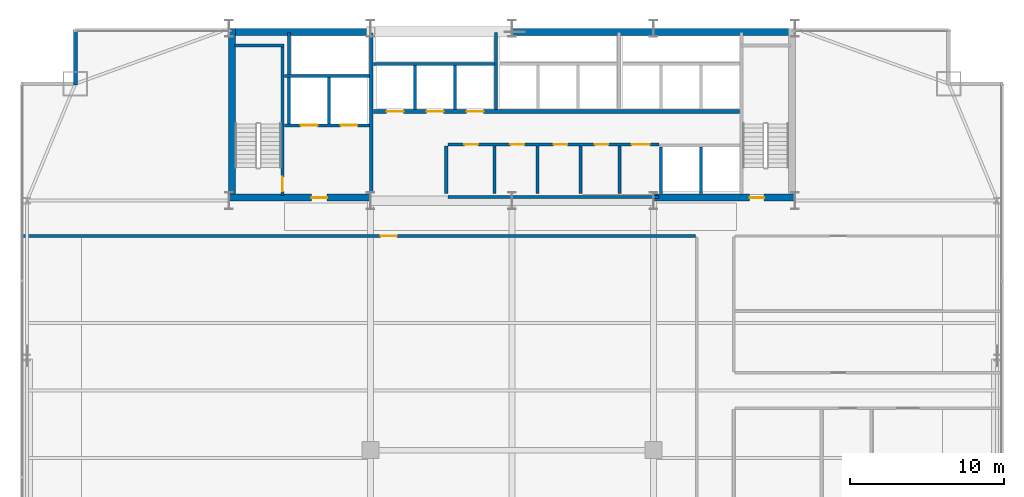
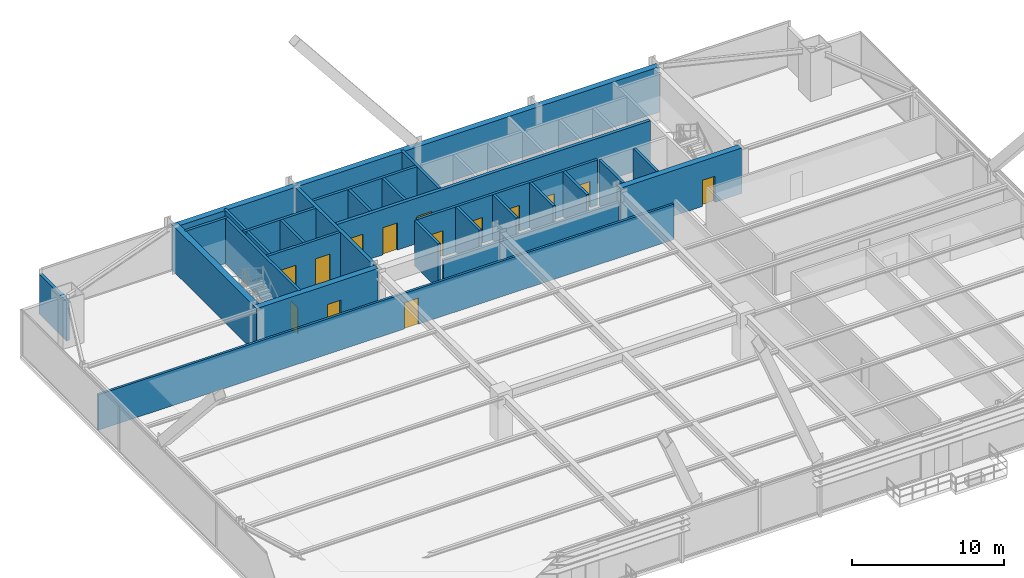
# One storey, part 32 of 35: 27 walls, 14 doors, 14 openings.
"""IFC4 building model written with IfcOpenShell, lengths in metres."""

from ifc_helpers import new_model, si_unit, direction, frame, frame_2d, origin, place, context, subcontext, project, spatial, rectangle, extrude, source, transform, mapped, material, layer, layer_set, type_object, type_shapes, element, fill, save


model = new_model("IFC4")

# Units and contexts
model_context = context("Model", 3, precision=1e-05, world=origin(), true_north=direction((0.0, 1.0)))
body_context = subcontext(model_context, "Body", "Model", "MODEL_VIEW")
ifc_project = project(units=[si_unit("LENGTHUNIT", "METRE"), si_unit("AREAUNIT", "SQUARE_METRE"), si_unit("VOLUMEUNIT", "CUBIC_METRE"), si_unit("PLANEANGLEUNIT", "RADIAN"), si_unit("MASSUNIT", "GRAM", prefix="KILO")], contexts=[model_context])

# Site, building, storey
site_placement = place(None, origin())
site = spatial("IfcSite", under=ifc_project, at=site_placement, CompositionType="ELEMENT")
building_placement = place(site_placement, origin())
building = spatial("IfcBuilding", under=site, at=building_placement, Name="Varnel Quay Broadcast Tower", CompositionType="ELEMENT")
storey_placement = place(building_placement, frame((0.0, 0.0, 66.60009765625)))
storey = spatial("IfcBuildingStorey", under=building, at=storey_placement, Name="L15", CompositionType="ELEMENT", Elevation=66.60009765625)

# Wall, opening, door
ifc_material_1 = material(Name="Concrete CSA A23.3 C50/60", Category="concrete")
ifc_layer_1 = layer(ifc_material_1, 0.199951171875, Name="Concrete CSA A23.3 C50/60")
ifc_layer_set_1 = layer_set([ifc_layer_1], Name="Concrete CSA A23.3 C50/60")
wall_type_1 = type_object("IfcWallType", Name="Wall_CoreShaftShear200", PredefinedType="SHEAR", material=ifc_layer_set_1)
wall_1_placement = place(storey_placement, frame((19.080078125, 35.949951171875, 0.0), z_axis=(0.0, 0.0, 1.0), x_axis=(0.0, 1.0, 0.0)))
wall_1 = element("IfcWall", 1, at=wall_1_placement, inside=storey, type_object=wall_type_1, Name="L15 Stair 1 East Structural Wall", PredefinedType="SHEAR", context=body_context, shape_type="SweptSolid", body=[
    extrude(rectangle(XDim=9.650146484375, YDim=0.199951171875, at=frame_2d((4.8251953125, 0.0))), origin(), (0.0, 0.0, 1.0), 3.64990234375),
])
opening_1_placement = place(wall_1_placement, frame((0.25, 0.0, 0.0)))
opening_1 = element("IfcOpeningElement", 2, at=opening_1_placement, cuts=wall_1, Name="Opening D-L15-S1", PredefinedType="OPENING", context=body_context, shape_type="SweptSolid", body=[
    extrude(rectangle(XDim=0.949951171875, YDim=2.10009765625, at=frame_2d((0.47509765625, 1.050048828125))), frame((0.0, 0.10986328125, 0.0), z_axis=(0.0, -1.0, 0.0), x_axis=(1.0, 0.0, 0.0)), (0.0, 0.0, 1.0), 0.219970703125),
])
ifc_material_2 = material(Name="Insulated Fire-Rated Hollow Steel Door", Category="steel")
door_type_1 = type_object("IfcDoorType", Name="Door_FireStair950", OperationType="NOTDEFINED", PredefinedType="DOOR", material=ifc_material_2)
shared_shape_1 = source(origin(), body_context, "Body", "SweptSolid", [
    extrude(rectangle(XDim=0.949951171875, YDim=2.10009765625, at=frame_2d((0.47509765625, 1.050048828125))), frame((0.0, 0.02490234375, 0.0), z_axis=(0.0, -1.0, 0.0), x_axis=(1.0, 0.0, 0.0)), (0.0, 0.0, 1.0), 0.050048828125),
])
type_shapes(door_type_1, [shared_shape_1])
door_1_placement = place(opening_1_placement, origin())
door_1 = element("IfcDoor", 3, at=door_1_placement, inside=storey, type_object=door_type_1, Name="L15 Stair 1 Fire Door", OperationType="SINGLE_SWING_RIGHT", OverallHeight=2.10009765625, OverallWidth=0.949951171875, PredefinedType="DOOR", context=body_context, shape_type="MappedRepresentation", body=[
    mapped(shared_shape_1, transform((0.0, 0.0, 0.0), x_axis=(1.0, 0.0, 0.0), y_axis=(0.0, 1.0, 0.0), z_axis=(0.0, 0.0, 1.0), scale=1.0)),
])
fill(opening_1, door_1)

# Wall
wall_2_placement = place(storey_placement, frame((15.949951171875, 45.679931640625, 0.0), z_axis=(0.0, 0.0, 1.0), x_axis=(1.0, 0.0, 0.0)))
element("IfcWall", 4, at=wall_2_placement, inside=storey, type_object=wall_type_1, Name="L15 Stair 1 North Structural Wall", PredefinedType="SHEAR", context=body_context, shape_type="SweptSolid", body=[
    extrude(rectangle(XDim=3.22998046875, YDim=0.199951171875, at=frame_2d((1.614990234375, 0.0))), origin(), (0.0, 0.0, 1.0), 3.64990234375),
])

# Wall, openings, doors
wall_3_placement = place(storey_placement, frame((19.199951171875, 40.5, 0.0), z_axis=(0.0, 0.0, 1.0), x_axis=(1.0, 0.0, 0.0)))
wall_3 = element("IfcWall", 5, at=wall_3_placement, inside=storey, type_object=wall_type_1, Name="L15 Firefighter Lift Shaft Front Wall", PredefinedType="SHEAR", context=body_context, shape_type="SweptSolid", body=[
    extrude(rectangle(XDim=5.52001953125, YDim=0.199951171875, at=frame_2d((2.760009765625, 0.0))), origin(), (0.0, 0.0, 1.0), 3.64990234375),
])
opening_2_placement = place(wall_3_placement, frame((1.050048828125, 0.0, 0.0)))
opening_2 = element("IfcOpeningElement", 6, at=opening_2_placement, cuts=wall_3, Name="Opening LD-L15-FE1", PredefinedType="OPENING", context=body_context, shape_type="SweptSolid", body=[
    extrude(rectangle(XDim=1.10009765625, YDim=2.179931640625, at=frame_2d((0.550048828125, 1.08984375))), frame((0.0, 0.10986328125, 0.0), z_axis=(0.0, -1.0, 0.0), x_axis=(1.0, 0.0, 0.0)), (0.0, 0.0, 1.0), 0.219970703125),
])
opening_3_placement = place(wall_3_placement, frame((3.64990234375, 0.0, 0.0)))
opening_3 = element("IfcOpeningElement", 7, at=opening_3_placement, cuts=wall_3, Name="Opening LD-L15-FE2", PredefinedType="OPENING", context=body_context, shape_type="SweptSolid", body=[
    extrude(rectangle(XDim=1.10009765625, YDim=2.179931640625, at=frame_2d((0.550048828125, 1.08984375))), frame((0.0, 0.10986328125, 0.0), z_axis=(0.0, -1.0, 0.0), x_axis=(1.0, 0.0, 0.0)), (0.0, 0.0, 1.0), 0.219970703125),
])
ifc_material_3 = material(Name="Brushed Bronze-Stainless Lift Car & Sliding Doors", Category="steel")
door_type_2 = type_object("IfcDoorType", Name="Door_LiftLanding1100", OperationType="SLIDING_TO_LEFT", PredefinedType="DOOR", material=ifc_material_3)
shared_shape_2 = source(origin(), body_context, "Body", "SweptSolid", [
    extrude(rectangle(XDim=1.10009765625, YDim=2.179931640625, at=frame_2d((0.550048828125, 1.08984375))), frame((0.0, 0.02490234375, 0.0), z_axis=(0.0, -1.0, 0.0), x_axis=(1.0, 0.0, 0.0)), (0.0, 0.0, 1.0), 0.050048828125),
])
type_shapes(door_type_2, [shared_shape_2])
door_2_placement = place(opening_2_placement, frame((1.10009765625, 0.0, 0.0), z_axis=(0.0, 0.0, 1.0), x_axis=(-1.0, 0.0, 0.0)))
door_2 = element("IfcDoor", 8, at=door_2_placement, inside=storey, type_object=door_type_2, Name="L15 Firefighter Lift FE-01 Landing Door", OperationType="SLIDING_TO_LEFT", OverallHeight=2.179931640625, OverallWidth=1.10009765625, PredefinedType="DOOR", context=body_context, shape_type="MappedRepresentation", body=[
    mapped(shared_shape_2, transform((0.0, 0.0, 0.0), x_axis=(1.0, 0.0, 0.0), y_axis=(0.0, 1.0, 0.0), z_axis=(0.0, 0.0, 1.0), scale=1.0)),
])
fill(opening_2, door_2)
door_3_placement = place(opening_3_placement, frame((1.10009765625, 0.0, 0.0), z_axis=(0.0, 0.0, 1.0), x_axis=(-1.0, 0.0, 0.0)))
door_3 = element("IfcDoor", 9, at=door_3_placement, inside=storey, type_object=door_type_2, Name="L15 Firefighter Lift FE-02 Landing Door", OperationType="SLIDING_TO_RIGHT", OverallHeight=2.179931640625, OverallWidth=1.10009765625, PredefinedType="DOOR", context=body_context, shape_type="MappedRepresentation", body=[
    mapped(shared_shape_2, transform((0.0, 0.0, 0.0), x_axis=(1.0, 0.0, 0.0), y_axis=(0.0, 1.0, 0.0), z_axis=(0.0, 0.0, 1.0), scale=1.0)),
])
fill(opening_3, door_3)

# Walls
wall_4_placement = place(storey_placement, frame((19.199951171875, 43.699951171875, 0.0), z_axis=(0.0, 0.0, 1.0), x_axis=(1.0, 0.0, 0.0)))
element("IfcWall", 10, at=wall_4_placement, inside=storey, type_object=wall_type_1, Name="L15 Firefighter Lift Shaft Rear Wall", PredefinedType="SHEAR", context=body_context, shape_type="SweptSolid", body=[
    extrude(rectangle(XDim=5.52001953125, YDim=0.199951171875, at=frame_2d((2.760009765625, 0.0))), origin(), (0.0, 0.0, 1.0), 3.64990234375),
])
wall_5_placement = place(storey_placement, frame((22.10009765625, 40.60009765625, 0.0), z_axis=(0.0, 0.0, 1.0), x_axis=(0.0, 1.0, 0.0)))
element("IfcWall", 11, at=wall_5_placement, inside=storey, type_object=wall_type_1, Name="L15 Firefighter Lift Shaft Divider", PredefinedType="SHEAR", context=body_context, shape_type="SweptSolid", body=[
    extrude(rectangle(XDim=3.0, YDim=0.199951171875, at=frame_2d((1.5, 0.0))), origin(), (0.0, 0.0, 1.0), 3.64990234375),
])
wall_6_placement = place(storey_placement, frame((19.5, 40.60009765625, 0.0), z_axis=(0.0, 0.0, 1.0), x_axis=(0.0, 1.0, 0.0)))
element("IfcWall", 12, at=wall_6_placement, inside=storey, type_object=wall_type_1, Name="L15 Firefighter Lift Shaft West Wall", PredefinedType="SHEAR", context=body_context, shape_type="SweptSolid", body=[
    extrude(rectangle(XDim=5.949951171875, YDim=0.199951171875, at=frame_2d((2.97509765625, 0.0))), origin(), (0.0, 0.0, 1.0), 3.64990234375),
])
wall_7_placement = place(storey_placement, frame((24.97998046875, 44.5, 0.0), z_axis=(0.0, 0.0, 1.0), x_axis=(1.0, 0.0, 0.0)))
element("IfcWall", 13, at=wall_7_placement, inside=storey, type_object=wall_type_1, Name="L15 Low-Rise Lift Shaft Rear Wall", PredefinedType="SHEAR", context=body_context, shape_type="SweptSolid", body=[
    extrude(rectangle(XDim=7.8701171875, YDim=0.199951171875, at=frame_2d((3.93505859375, 0.0))), origin(), (0.0, 0.0, 1.0), 3.64990234375),
])
for number, where, z_axis, x_axis, name in (
    (14, (27.699951171875, 41.530029296875, 0.0), (0.0, 0.0, 1.0), (0.0, 1.0, 0.0), "L15 Low-Rise Lift Shaft Divider 1"),
    (15, (30.300048828125, 41.530029296875, 0.0), (0.0, 0.0, 1.0), (0.0, 1.0, 0.0), "L15 Low-Rise Lift Shaft Divider 2"),
):
    element("IfcWall", number, at=place(storey_placement, frame(where, z_axis=z_axis, x_axis=x_axis)), inside=storey, type_object=wall_type_1, Name=name, PredefinedType="SHEAR", context=body_context, shape_type="SweptSolid", body=[
        extrude(rectangle(XDim=2.869873046875, YDim=0.199951171875, at=frame_2d((1.43505859375, 0.0))), origin(), (0.0, 0.0, 1.0), 3.64990234375),
    ])
wall_8_placement = place(storey_placement, frame((32.949951171875, 41.530029296875, 0.0), z_axis=(0.0, 0.0, 1.0), x_axis=(0.0, 1.0, 0.0)))
element("IfcWall", 16, at=wall_8_placement, inside=storey, type_object=wall_type_1, Name="L15 Low-Rise Lift Shaft Divider 3", PredefinedType="SHEAR", context=body_context, shape_type="SweptSolid", body=[
    extrude(rectangle(XDim=5.02001953125, YDim=0.199951171875, at=frame_2d((2.510009765625, 0.0))), origin(), (0.0, 0.0, 1.0), 3.64990234375),
])
for number, where, z_axis, x_axis, name in (
    (17, (43.699951171875, 36.050048828125, 0.0), (0.0, 0.0, 1.0), (0.0, 1.0, 0.0), "L15 Express Lift Shaft West Wall"),
    (18, (46.300048828125, 36.050048828125, 0.0), (0.0, 0.0, 1.0), (0.0, 1.0, 0.0), "L15 Express Lift Shaft Divider"),
):
    element("IfcWall", number, at=place(storey_placement, frame(where, z_axis=z_axis, x_axis=x_axis)), inside=storey, type_object=wall_type_1, Name=name, PredefinedType="SHEAR", context=body_context, shape_type="SweptSolid", body=[
        extrude(rectangle(XDim=3.050048828125, YDim=0.199951171875, at=frame_2d((1.52490234375, 0.0))), origin(), (0.0, 0.0, 1.0), 3.64990234375),
    ])
ifc_layer_2 = layer(ifc_material_1, 0.25, Name="Concrete CSA A23.3 C50/60")
ifc_layer_set_2 = layer_set([ifc_layer_2], Name="Concrete CSA A23.3 C50/60")
wall_type_2 = type_object("IfcWallType", Name="Wall_CoreShaftShear250", PredefinedType="SHEAR", material=ifc_layer_set_2)
wall_9_placement = place(storey_placement, frame((24.85009765625, 36.050048828125, 0.0), z_axis=(0.0, 0.0, 1.0), x_axis=(0.0, 1.0, 0.0)))
element("IfcWall", 19, at=wall_9_placement, inside=storey, type_object=wall_type_2, Name="L15 Firefighting Lobby East Structural Wall", PredefinedType="SHEAR", context=body_context, shape_type="SweptSolid", body=[
    extrude(rectangle(XDim=10.449951171875, YDim=0.25, at=frame_2d((5.22509765625, 0.0))), origin(), (0.0, 0.0, 1.0), 3.64990234375),
])

# Wall, openings, doors
wall_10_placement = place(storey_placement, frame((24.97998046875, 41.39990234375, 0.0), z_axis=(0.0, 0.0, 1.0), x_axis=(1.0, 0.0, 0.0)))
wall_10 = element("IfcWall", 20, at=wall_10_placement, inside=storey, type_object=wall_type_2, Name="L15 North Lift Bank & Reclaimed Suite Wall", PredefinedType="SHEAR", context=body_context, shape_type="SweptSolid", body=[
    extrude(rectangle(XDim=23.820068359375, YDim=0.25, at=frame_2d((11.91015625, 0.0))), origin(), (0.0, 0.0, 1.0), 3.64990234375),
])
opening_4_placement = place(wall_10_placement, frame((0.8701171875, 0.0, 0.0)))
opening_4 = element("IfcOpeningElement", 21, at=opening_4_placement, cuts=wall_10, Name="Opening LD-L15-PL-01", PredefinedType="OPENING", context=body_context, shape_type="SweptSolid", body=[
    extrude(rectangle(XDim=1.10009765625, YDim=2.179931640625, at=frame_2d((0.550048828125, 1.08984375))), frame((0.0, 0.135009765625, 0.0), z_axis=(0.0, -1.0, 0.0), x_axis=(1.0, 0.0, 0.0)), (0.0, 0.0, 1.0), 0.27001953125),
])
opening_5_placement = place(wall_10_placement, frame((3.469970703125, 0.0, 0.0)))
opening_5 = element("IfcOpeningElement", 22, at=opening_5_placement, cuts=wall_10, Name="Opening LD-L15-PL-02", PredefinedType="OPENING", context=body_context, shape_type="SweptSolid", body=[
    extrude(rectangle(XDim=1.10009765625, YDim=2.179931640625, at=frame_2d((0.550048828125, 1.08984375))), frame((0.0, 0.135009765625, 0.0), z_axis=(0.0, -1.0, 0.0), x_axis=(1.0, 0.0, 0.0)), (0.0, 0.0, 1.0), 0.27001953125),
])
opening_6_placement = place(wall_10_placement, frame((6.070068359375, 0.0, 0.0)))
opening_6 = element("IfcOpeningElement", 23, at=opening_6_placement, cuts=wall_10, Name="Opening LD-L15-PL-03", PredefinedType="OPENING", context=body_context, shape_type="SweptSolid", body=[
    extrude(rectangle(XDim=1.10009765625, YDim=2.179931640625, at=frame_2d((0.550048828125, 1.08984375))), frame((0.0, 0.135009765625, 0.0), z_axis=(0.0, -1.0, 0.0), x_axis=(1.0, 0.0, 0.0)), (0.0, 0.0, 1.0), 0.27001953125),
])
door_4_placement = place(opening_4_placement, frame((1.10009765625, 0.0, 0.0), z_axis=(0.0, 0.0, 1.0), x_axis=(-1.0, 0.0, 0.0)))
door_4 = element("IfcDoor", 24, at=door_4_placement, inside=storey, type_object=door_type_2, Name="L15 Lift PL-01 Landing Door", OperationType="SLIDING_TO_LEFT", OverallHeight=2.179931640625, OverallWidth=1.10009765625, PredefinedType="DOOR", context=body_context, shape_type="MappedRepresentation", body=[
    mapped(shared_shape_2, transform((0.0, 0.0, 0.0), x_axis=(1.0, 0.0, 0.0), y_axis=(0.0, 1.0, 0.0), z_axis=(0.0, 0.0, 1.0), scale=1.0)),
])
fill(opening_4, door_4)
door_5_placement = place(opening_5_placement, frame((1.10009765625, 0.0, 0.0), z_axis=(0.0, 0.0, 1.0), x_axis=(-1.0, 0.0, 0.0)))
door_5 = element("IfcDoor", 25, at=door_5_placement, inside=storey, type_object=door_type_2, Name="L15 Lift PL-02 Landing Door", OperationType="SLIDING_TO_LEFT", OverallHeight=2.179931640625, OverallWidth=1.10009765625, PredefinedType="DOOR", context=body_context, shape_type="MappedRepresentation", body=[
    mapped(shared_shape_2, transform((0.0, 0.0, 0.0), x_axis=(1.0, 0.0, 0.0), y_axis=(0.0, 1.0, 0.0), z_axis=(0.0, 0.0, 1.0), scale=1.0)),
])
fill(opening_5, door_5)
door_6_placement = place(opening_6_placement, frame((1.10009765625, 0.0, 0.0), z_axis=(0.0, 0.0, 1.0), x_axis=(-1.0, 0.0, 0.0)))
door_6 = element("IfcDoor", 26, at=door_6_placement, inside=storey, type_object=door_type_2, Name="L15 Lift PL-03 Landing Door", OperationType="SLIDING_TO_LEFT", OverallHeight=2.179931640625, OverallWidth=1.10009765625, PredefinedType="DOOR", context=body_context, shape_type="MappedRepresentation", body=[
    mapped(shared_shape_2, transform((0.0, 0.0, 0.0), x_axis=(1.0, 0.0, 0.0), y_axis=(0.0, 1.0, 0.0), z_axis=(0.0, 0.0, 1.0), scale=1.0)),
])
fill(opening_6, door_6)

# Walls
ifc_material_4 = material(Name="Concrete CSA A23.3 C60/75", Category="concrete")
ifc_layer_3 = layer(ifc_material_4, 0.449951171875, Name="Concrete CSA A23.3 C60/75")
ifc_layer_set_3 = layer_set([ifc_layer_3], Name="Concrete CSA A23.3 C60/75")
wall_type_3 = type_object("IfcWallType", Name="Wall_CoreShearExt450", PredefinedType="SHEAR", material=ifc_layer_set_3)
wall_11_placement = place(storey_placement, frame((15.60009765625, 46.574951171875, 0.0), z_axis=(0.0, 0.0, 1.0), x_axis=(1.0, 0.0, 0.0)))
element("IfcWall", 27, at=wall_11_placement, inside=storey, type_object=wall_type_3, Name="L15 North Core Shear Wall", PredefinedType="SHEAR", context=body_context, shape_type="SweptSolid", body=[
    extrude(rectangle(XDim=36.7998046875, YDim=0.449951171875, at=frame_2d((18.39990234375, 0.0))), origin(), (0.0, 0.0, 1.0), 3.64990234375),
])
ifc_layer_4 = layer(ifc_material_4, 0.449951171875, Name="Concrete CSA A23.3 C60/75")
ifc_layer_set_4 = layer_set([ifc_layer_4], Name="Concrete CSA A23.3 C60/75")
wall_type_4 = type_object("IfcWallType", Name="Wall_CoreShearInt450", PredefinedType="SHEAR", material=ifc_layer_set_4)
wall_12_placement = place(storey_placement, frame((15.794921875, 35.570068359375, 0.0), z_axis=(0.0, 0.0, 1.0), x_axis=(0.0, 1.0, 0.0)))
element("IfcWall", 28, at=wall_12_placement, inside=storey, type_object=wall_type_4, Name="L15 West Core Shear Wall", PredefinedType="SHEAR", context=body_context, shape_type="SweptSolid", body=[
    extrude(rectangle(XDim=11.22998046875, YDim=0.449951171875, at=frame_2d((5.614990234375, 0.0))), origin(), (0.0, 0.0, 1.0), 3.64990234375),
])

# Wall, opening, door
wall_13_placement = place(storey_placement, frame((15.570068359375, 35.794921875, 0.0), z_axis=(0.0, 0.0, 1.0), x_axis=(1.0, 0.0, 0.0)))
wall_13 = element("IfcWall", 29, at=wall_13_placement, inside=storey, type_object=wall_type_4, Name="L15 South-West Core Shear Wall", PredefinedType="SHEAR", context=body_context, shape_type="SweptSolid", body=[
    extrude(rectangle(XDim=9.22998046875, YDim=0.449951171875, at=frame_2d((4.614990234375, 0.0))), origin(), (0.0, 0.0, 1.0), 3.64990234375),
])
opening_7_placement = place(wall_13_placement, frame((5.39990234375, 0.0, 0.0)))
opening_7 = element("IfcOpeningElement", 30, at=opening_7_placement, cuts=wall_13, Name="Opening D-L15-FFL", PredefinedType="OPENING", context=body_context, shape_type="SweptSolid", body=[
    extrude(rectangle(XDim=1.0, YDim=2.10009765625, at=frame_2d((0.5, 1.050048828125))), frame((0.0, 0.23486328125, 0.0), z_axis=(0.0, -1.0, 0.0), x_axis=(1.0, 0.0, 0.0)), (0.0, 0.0, 1.0), 0.469970703125),
])
door_type_3 = type_object("IfcDoorType", Name="Door_FireLobby1000", OperationType="NOTDEFINED", PredefinedType="DOOR", material=ifc_material_2)
shared_shape_3 = source(origin(), body_context, "Body", "SweptSolid", [
    extrude(rectangle(XDim=1.0, YDim=2.10009765625, at=frame_2d((0.5, 1.050048828125))), frame((0.0, 0.02490234375, 0.0), z_axis=(0.0, -1.0, 0.0), x_axis=(1.0, 0.0, 0.0)), (0.0, 0.0, 1.0), 0.050048828125),
])
type_shapes(door_type_3, [shared_shape_3])
door_7_placement = place(opening_7_placement, origin())
door_7 = element("IfcDoor", 31, at=door_7_placement, inside=storey, type_object=door_type_3, Name="L15 Firefighting Lobby Door", OperationType="SINGLE_SWING_LEFT", OverallHeight=2.10009765625, OverallWidth=1.0, PredefinedType="DOOR", context=body_context, shape_type="MappedRepresentation", body=[
    mapped(shared_shape_3, transform((0.0, 0.0, 0.0), x_axis=(1.0, 0.0, 0.0), y_axis=(0.0, 1.0, 0.0), z_axis=(0.0, 0.0, 1.0), scale=1.0)),
])
fill(opening_7, door_7)

wall_14_placement = place(storey_placement, frame((43.199951171875, 35.794921875, 0.0), z_axis=(0.0, 0.0, 1.0), x_axis=(1.0, 0.0, 0.0)))
wall_14 = element("IfcWall", 32, at=wall_14_placement, inside=storey, type_object=wall_type_4, Name="L15 South-East Core Shear Wall", PredefinedType="SHEAR", context=body_context, shape_type="SweptSolid", body=[
    extrude(rectangle(XDim=9.22998046875, YDim=0.449951171875, at=frame_2d((4.614990234375, 0.0))), origin(), (0.0, 0.0, 1.0), 3.64990234375),
])
opening_8_placement = place(wall_14_placement, frame((6.25, 0.0, 0.0)))
opening_8 = element("IfcOpeningElement", 33, at=opening_8_placement, cuts=wall_14, Name="Opening D-L15-S2", PredefinedType="OPENING", context=body_context, shape_type="SweptSolid", body=[
    extrude(rectangle(XDim=0.949951171875, YDim=2.10009765625, at=frame_2d((0.47509765625, 1.050048828125))), frame((0.0, 0.23486328125, 0.0), z_axis=(0.0, -1.0, 0.0), x_axis=(1.0, 0.0, 0.0)), (0.0, 0.0, 1.0), 0.469970703125),
])
door_8_placement = place(opening_8_placement, origin())
door_8 = element("IfcDoor", 34, at=door_8_placement, inside=storey, type_object=door_type_1, Name="L15 Stair 2 Fire Door", OperationType="SINGLE_SWING_RIGHT", OverallHeight=2.10009765625, OverallWidth=0.949951171875, PredefinedType="DOOR", context=body_context, shape_type="MappedRepresentation", body=[
    mapped(shared_shape_1, transform((0.0, 0.0, 0.0), x_axis=(1.0, 0.0, 0.0), y_axis=(0.0, 1.0, 0.0), z_axis=(0.0, 0.0, 1.0), scale=1.0)),
])
fill(opening_8, door_8)

# Walls
ifc_material_5 = material(Name="Precast Architectural Concrete C40/50", Category="concrete")
ifc_layer_5 = layer(ifc_material_5, 0.25, Name="Precast Architectural Concrete C40/50")
ifc_layer_set_5 = layer_set([ifc_layer_5], Name="Precast Architectural Concrete C40/50")
wall_type_5 = type_object("IfcWallType", Name="Wall_ExtTerrace250", PredefinedType="SOLIDWALL", material=ifc_layer_set_5)
wall_15_placement = place(storey_placement, frame((5.60009765625, 43.1201171875, 0.0), z_axis=(0.0, 0.0, 1.0), x_axis=(0.0, 1.0, 0.0)))
element("IfcWall", 35, at=wall_15_placement, inside=storey, type_object=wall_type_5, Name="L15 Mega-Column Notch Cladding Wall NNW2", PredefinedType="SOLIDWALL", context=body_context, shape_type="SweptSolid", body=[
    extrude(rectangle(XDim=3.599853515625, YDim=0.25, at=frame_2d((1.7998046875, 0.0))), origin(), (0.0, 0.0, 1.0), 3.2080078125),
])
ifc_material_6 = material(Name="Concrete Blockwork Fire Enclosure C40/50", Category="masonry")
ifc_layer_6 = layer(ifc_material_6, 0.199951171875, Name="Concrete Blockwork Fire Enclosure C40/50")
ifc_layer_set_6 = layer_set([ifc_layer_6], Name="Concrete Blockwork Fire Enclosure C40/50")
wall_type_6 = type_object("IfcWallType", Name="Wall_FireShaft200", PredefinedType="SOLIDWALL", material=ifc_layer_set_6)
wall_16_placement = place(storey_placement, frame((29.85009765625, 35.824951171875, 0.0), z_axis=(0.0, 0.0, 1.0), x_axis=(1.0, 0.0, 0.0)))
element("IfcWall", 36, at=wall_16_placement, inside=storey, type_object=wall_type_6, Name="L15 Accessible Washroom Partition 1", PredefinedType="SOLIDWALL", context=body_context, shape_type="SweptSolid", body=[
    extrude(rectangle(XDim=13.699951171875, YDim=0.199951171875, at=frame_2d((6.85009765625, 0.0))), origin(), (0.0, 0.0, 1.0), 2.4248046875),
])

# Wall, openings, doors
wall_17_placement = place(storey_placement, frame((29.85009765625, 39.25, 0.0), z_axis=(0.0, 0.0, 1.0), x_axis=(1.0, 0.0, 0.0)))
wall_17 = element("IfcWall", 37, at=wall_17_placement, inside=storey, type_object=wall_type_6, Name="L15 Accessible Washroom Partition 3", PredefinedType="SOLIDWALL", context=body_context, shape_type="SweptSolid", body=[
    extrude(rectangle(XDim=13.699951171875, YDim=0.199951171875, at=frame_2d((6.85009765625, 0.0))), origin(), (0.0, 0.0, 1.0), 3.6298828125),
])
opening_9_placement = place(wall_17_placement, frame((1.050048828125, 0.0, 0.0)))
opening_9 = element("IfcOpeningElement", 38, at=opening_9_placement, cuts=wall_17, Name="Opening D-L15-01", PredefinedType="OPENING", context=body_context, shape_type="SweptSolid", body=[
    extrude(rectangle(XDim=0.89990234375, YDim=2.06005859375, at=frame_2d((0.449951171875, 1.030029296875))), frame((0.0, 0.10986328125, 0.0), z_axis=(0.0, -1.0, 0.0), x_axis=(1.0, 0.0, 0.0)), (0.0, 0.0, 1.0), 0.219970703125),
])
opening_10_placement = place(wall_17_placement, frame((4.050048828125, 0.0, 0.0)))
opening_10 = element("IfcOpeningElement", 39, at=opening_10_placement, cuts=wall_17, Name="Opening D-L15-02", PredefinedType="OPENING", context=body_context, shape_type="SweptSolid", body=[
    extrude(rectangle(XDim=0.89990234375, YDim=2.06005859375, at=frame_2d((0.449951171875, 1.030029296875))), frame((0.0, 0.10986328125, 0.0), z_axis=(0.0, -1.0, 0.0), x_axis=(1.0, 0.0, 0.0)), (0.0, 0.0, 1.0), 0.219970703125),
])
opening_11_placement = place(wall_17_placement, frame((6.85009765625, 0.0, 0.0)))
opening_11 = element("IfcOpeningElement", 40, at=opening_11_placement, cuts=wall_17, Name="Opening D-L15-03", PredefinedType="OPENING", context=body_context, shape_type="SweptSolid", body=[
    extrude(rectangle(XDim=0.89990234375, YDim=2.06005859375, at=frame_2d((0.449951171875, 1.030029296875))), frame((0.0, 0.10986328125, 0.0), z_axis=(0.0, -1.0, 0.0), x_axis=(1.0, 0.0, 0.0)), (0.0, 0.0, 1.0), 0.219970703125),
])
opening_12_placement = place(wall_17_placement, frame((9.534912109375, 0.0, 0.0)))
opening_12 = element("IfcOpeningElement", 41, at=opening_12_placement, cuts=wall_17, Name="Opening D-L15-04", PredefinedType="OPENING", context=body_context, shape_type="SweptSolid", body=[
    extrude(rectangle(XDim=0.8798828125, YDim=2.06005859375, at=frame_2d((0.43994140625, 1.030029296875))), frame((0.0, 0.10986328125, 0.0), z_axis=(0.0, -1.0, 0.0), x_axis=(1.0, 0.0, 0.0)), (0.0, 0.0, 1.0), 0.219970703125),
])
opening_13_placement = place(wall_17_placement, frame((11.925048828125, 0.0, 0.0)))
opening_13 = element("IfcOpeningElement", 42, at=opening_13_placement, cuts=wall_17, Name="Opening D-L15-05", PredefinedType="OPENING", context=body_context, shape_type="SweptSolid", body=[
    extrude(rectangle(XDim=1.199951171875, YDim=2.10009765625, at=frame_2d((0.60009765625, 1.050048828125))), frame((0.0, 0.10986328125, 0.0), z_axis=(0.0, -1.0, 0.0), x_axis=(1.0, 0.0, 0.0)), (0.0, 0.0, 1.0), 0.219970703125),
])
ifc_material_7 = material(Name="Solid-Core Fire-Rated Acoustic Oak Veneer Door", Category="wood")
door_type_4 = type_object("IfcDoorType", Name="Door_Washroom900", OperationType="NOTDEFINED", PredefinedType="DOOR", material=ifc_material_7)
shared_shape_4 = source(origin(), body_context, "Body", "SweptSolid", [
    extrude(rectangle(XDim=0.89990234375, YDim=2.06005859375, at=frame_2d((0.449951171875, 1.030029296875))), frame((0.0, 0.02490234375, 0.0), z_axis=(0.0, -1.0, 0.0), x_axis=(1.0, 0.0, 0.0)), (0.0, 0.0, 1.0), 0.050048828125),
])
type_shapes(door_type_4, [shared_shape_4])
door_9_placement = place(opening_9_placement, frame((0.89990234375, 0.0, 0.0), z_axis=(0.0, 0.0, 1.0), x_axis=(-1.0, 0.0, 0.0)))
door_9 = element("IfcDoor", 43, at=door_9_placement, inside=storey, type_object=door_type_4, Name="L15 Accessible Washroom Door D-L15-01", OperationType="SINGLE_SWING_LEFT", OverallHeight=2.06005859375, OverallWidth=0.89990234375, PredefinedType="DOOR", context=body_context, shape_type="MappedRepresentation", body=[
    mapped(shared_shape_4, transform((0.0, 0.0, 0.0), x_axis=(1.0, 0.0, 0.0), y_axis=(0.0, 1.0, 0.0), z_axis=(0.0, 0.0, 1.0), scale=1.0)),
])
fill(opening_9, door_9)
door_10_placement = place(opening_10_placement, frame((0.89990234375, 0.0, 0.0), z_axis=(0.0, 0.0, 1.0), x_axis=(-1.0, 0.0, 0.0)))
door_10 = element("IfcDoor", 44, at=door_10_placement, inside=storey, type_object=door_type_4, Name="L15 West Gender-Neutral Washroom Door D-L15-02", OperationType="SINGLE_SWING_RIGHT", OverallHeight=2.06005859375, OverallWidth=0.89990234375, PredefinedType="DOOR", context=body_context, shape_type="MappedRepresentation", body=[
    mapped(shared_shape_4, transform((0.0, 0.0, 0.0), x_axis=(1.0, 0.0, 0.0), y_axis=(0.0, 1.0, 0.0), z_axis=(0.0, 0.0, 1.0), scale=1.0)),
])
fill(opening_10, door_10)
door_11_placement = place(opening_11_placement, frame((0.89990234375, 0.0, 0.0), z_axis=(0.0, 0.0, 1.0), x_axis=(-1.0, 0.0, 0.0)))
door_11 = element("IfcDoor", 45, at=door_11_placement, inside=storey, type_object=door_type_4, Name="L15 East Staff Washroom Door D-L15-03", OperationType="SINGLE_SWING_LEFT", OverallHeight=2.06005859375, OverallWidth=0.89990234375, PredefinedType="DOOR", context=body_context, shape_type="MappedRepresentation", body=[
    mapped(shared_shape_4, transform((0.0, 0.0, 0.0), x_axis=(1.0, 0.0, 0.0), y_axis=(0.0, 1.0, 0.0), z_axis=(0.0, 0.0, 1.0), scale=1.0)),
])
fill(opening_11, door_11)
door_type_5 = type_object("IfcDoorType", Name="Door_Plant1200", OperationType="NOTDEFINED", PredefinedType="DOOR", material=ifc_material_2)
shared_shape_5 = source(origin(), body_context, "Body", "SweptSolid", [
    extrude(rectangle(XDim=1.199951171875, YDim=2.10009765625, at=frame_2d((0.60009765625, 1.050048828125))), frame((0.0, 0.02490234375, 0.0), z_axis=(0.0, -1.0, 0.0), x_axis=(1.0, 0.0, 0.0)), (0.0, 0.0, 1.0), 0.050048828125),
])
type_shapes(door_type_5, [shared_shape_5])
door_12_placement = place(opening_13_placement, origin())
door_12 = element("IfcDoor", 46, at=door_12_placement, inside=storey, type_object=door_type_5, Name="L15 Telecom IDF Closet Door D-L15-05", OperationType="SINGLE_SWING_LEFT", OverallHeight=2.10009765625, OverallWidth=1.199951171875, PredefinedType="DOOR", context=body_context, shape_type="MappedRepresentation", body=[
    mapped(shared_shape_5, transform((0.0, 0.0, 0.0), x_axis=(1.0, 0.0, 0.0), y_axis=(0.0, 1.0, 0.0), z_axis=(0.0, 0.0, 1.0), scale=1.0)),
])
fill(opening_13, door_12)
door_type_6 = type_object("IfcDoorType", Name="Door_Booth880", OperationType="NOTDEFINED", PredefinedType="DOOR", material=ifc_material_7)
shared_shape_6 = source(origin(), body_context, "Body", "SweptSolid", [
    extrude(rectangle(XDim=0.8798828125, YDim=2.06005859375, at=frame_2d((0.43994140625, 1.030029296875))), frame((0.0, 0.02490234375, 0.0), z_axis=(0.0, -1.0, 0.0), x_axis=(1.0, 0.0, 0.0)), (0.0, 0.0, 1.0), 0.050048828125),
])
type_shapes(door_type_6, [shared_shape_6])
door_13_placement = place(opening_12_placement, frame((0.8798828125, 0.0, 0.0), z_axis=(0.0, 0.0, 1.0), x_axis=(-1.0, 0.0, 0.0)))
door_13 = element("IfcDoor", 47, at=door_13_placement, inside=storey, type_object=door_type_6, Name="L15 Cleaners' & Linen Store Door D-L15-04", OperationType="SINGLE_SWING_RIGHT", OverallHeight=2.06005859375, OverallWidth=0.8798828125, PredefinedType="DOOR", context=body_context, shape_type="MappedRepresentation", body=[
    mapped(shared_shape_6, transform((0.0, 0.0, 0.0), x_axis=(1.0, 0.0, 0.0), y_axis=(0.0, 1.0, 0.0), z_axis=(0.0, 0.0, 1.0), scale=1.0)),
])
fill(opening_12, door_13)

# Wall
wall_18_placement = place(storey_placement, frame((41.0, 36.050048828125, 0.0), z_axis=(0.0, 0.0, 1.0), x_axis=(0.0, 1.0, 0.0)))
element("IfcWall", 48, at=wall_18_placement, inside=storey, type_object=wall_type_6, Name="L15 Cleaners' & Linen Store Partition 7", PredefinedType="SOLIDWALL", context=body_context, shape_type="SweptSolid", body=[
    extrude(rectangle(XDim=3.099853515625, YDim=0.199951171875, at=frame_2d((1.5498046875, 0.0))), origin(), (0.0, 0.0, 1.0), 3.6298828125),
])

# Wall, opening, door
ifc_material_8 = material(Name="Steel-Stud Fire-Rated Acoustic Gypsum Partition Assembly", Category="steel")
ifc_layer_7 = layer(ifc_material_8, 0.175048828125, Name="Steel-Stud Fire-Rated Acoustic Gypsum Partition Assembly")
ifc_layer_set_7 = layer_set([ifc_layer_7], Name="Steel-Stud Fire-Rated Acoustic Gypsum Partition Assembly")
wall_type_7 = type_object("IfcWallType", Name="Wall_Partition175", PredefinedType="PARTITIONING", material=ifc_layer_set_7)
wall_19_placement = place(storey_placement, frame((2.179931640625, 33.300048828125, 0.0), z_axis=(0.0, 0.0, 1.0), x_axis=(1.0, 0.0, 0.0)))
wall_19 = element("IfcWall", 49, at=wall_19_placement, inside=storey, type_object=wall_type_7, Name="L15 Broadcast Seminar Room 1 Partition 9", PredefinedType="PARTITIONING", context=body_context, shape_type="SweptSolid", body=[
    extrude(rectangle(XDim=43.739990234375, YDim=0.175048828125, at=frame_2d((21.8701171875, 0.0))), origin(), (0.0, 0.0, 1.0), 2.851806640625),
])
opening_14_placement = place(wall_19_placement, frame((23.280029296875, 0.0, 0.0)))
opening_14 = element("IfcOpeningElement", 50, at=opening_14_placement, cuts=wall_19, Name="Opening D-L15-06", PredefinedType="OPENING", context=body_context, shape_type="SweptSolid", body=[
    extrude(rectangle(XDim=1.050048828125, YDim=2.10009765625, at=frame_2d((0.52490234375, 1.050048828125))), frame((0.0, 0.09765625, 0.0), z_axis=(0.0, -1.0, 0.0), x_axis=(1.0, 0.0, 0.0)), (0.0, 0.0, 1.0), 0.195068359375),
])
door_type_7 = type_object("IfcDoorType", Name="Door_Meeting1050", OperationType="NOTDEFINED", PredefinedType="DOOR", material=ifc_material_7)
shared_shape_7 = source(origin(), body_context, "Body", "SweptSolid", [
    extrude(rectangle(XDim=1.050048828125, YDim=2.10009765625, at=frame_2d((0.52490234375, 1.050048828125))), frame((0.0, 0.02490234375, 0.0), z_axis=(0.0, -1.0, 0.0), x_axis=(1.0, 0.0, 0.0)), (0.0, 0.0, 1.0), 0.050048828125),
])
type_shapes(door_type_7, [shared_shape_7])
door_14_placement = place(opening_14_placement, frame((1.050048828125, 0.0, 0.0), z_axis=(0.0, 0.0, 1.0), x_axis=(-1.0, 0.0, 0.0)))
door_14 = element("IfcDoor", 51, at=door_14_placement, inside=storey, type_object=door_type_7, Name="L15 Broadcast Seminar Room 1 Door D-L15-06", OperationType="SINGLE_SWING_RIGHT", OverallHeight=2.10009765625, OverallWidth=1.050048828125, PredefinedType="DOOR", context=body_context, shape_type="MappedRepresentation", body=[
    mapped(shared_shape_7, transform((0.0, 0.0, 0.0), x_axis=(1.0, 0.0, 0.0), y_axis=(0.0, 1.0, 0.0), z_axis=(0.0, 0.0, 1.0), scale=1.0)),
])
fill(opening_14, door_14)

# Walls
ifc_material_9 = material(Name="Fire-Rated Moisture-Resistant Plumbing Chase Partition")
ifc_layer_8 = layer(ifc_material_9, 0.199951171875, Name="Fire-Rated Moisture-Resistant Plumbing Chase Partition")
ifc_layer_set_8 = layer_set([ifc_layer_8], Name="Fire-Rated Moisture-Resistant Plumbing Chase Partition")
wall_type_8 = type_object("IfcWallType", Name="Wall_Plumbing200", PredefinedType="PLUMBINGWALL", material=ifc_layer_set_8)
for number, where, z_axis, x_axis, name in (
    (52, (32.85009765625, 36.050048828125, 0.0), (0.0, 0.0, 1.0), (0.0, 1.0, 0.0), "L15 Accessible Washroom Partition 2"),
    (53, (29.72509765625, 36.050048828125, 0.0), (0.0, 0.0, 1.0), (0.0, 1.0, 0.0), "L15 Accessible Washroom Partition 4"),
    (54, (35.64990234375, 36.050048828125, 0.0), (0.0, 0.0, 1.0), (0.0, 1.0, 0.0), "L15 West Gender-Neutral Washroom Partition 5"),
    (55, (38.449951171875, 36.050048828125, 0.0), (0.0, 0.0, 1.0), (0.0, 1.0, 0.0), "L15 East Staff Washroom Partition 6"),
):
    element("IfcWall", number, at=place(storey_placement, frame(where, z_axis=z_axis, x_axis=x_axis)), inside=storey, type_object=wall_type_8, Name=name, PredefinedType="PLUMBINGWALL", context=body_context, shape_type="SweptSolid", body=[
        extrude(rectangle(XDim=3.099853515625, YDim=0.199951171875, at=frame_2d((1.5498046875, 0.0))), origin(), (0.0, 0.0, 1.0), 3.6298828125),
    ])

save(model, "model.ifc")
